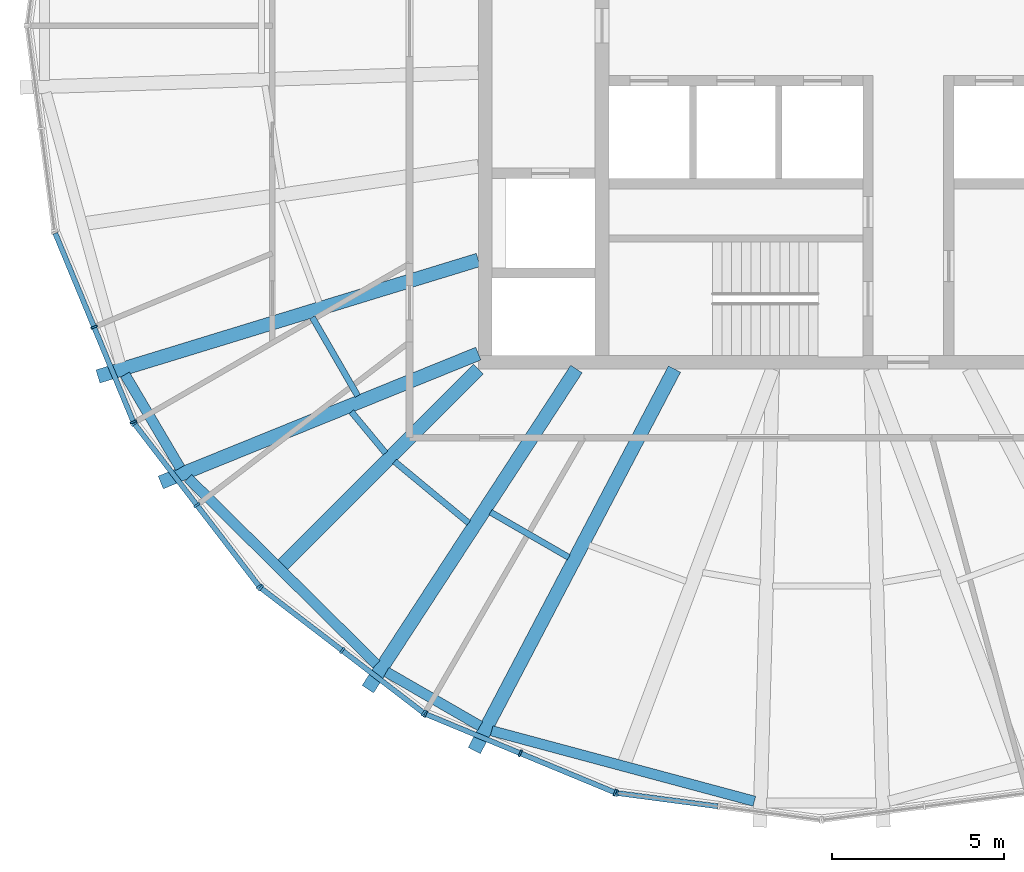
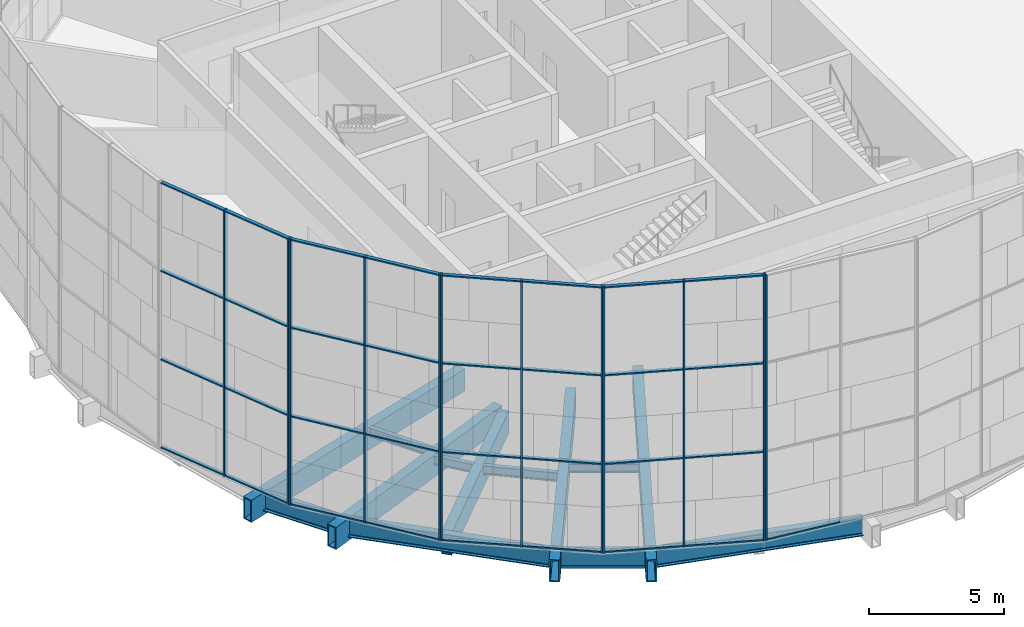
# One storey, part 1 of 23: 45 members, 13 beams, 5 elements without a shape of their own.
"""IFC4 building model written with IfcOpenShell, lengths in metres."""

from ifc_helpers import new_model, si_unit, direction, frame, origin, origin_2d, place, context, subcontext, project, spatial, rectangle, hollow_rectangle, i_section, extrude, material, material_profile, profile_set, type_object, element, aggregate, save


model = new_model("IFC4")

# Units and contexts
model_context = context("Model", 3, precision=1e-05, world=origin(), true_north=direction((0.0, 1.0)))
body_context = subcontext(model_context, "Body", "Model", "MODEL_VIEW")
ifc_project = project(units=[si_unit("LENGTHUNIT", "METRE"), si_unit("AREAUNIT", "SQUARE_METRE"), si_unit("VOLUMEUNIT", "CUBIC_METRE"), si_unit("PLANEANGLEUNIT", "RADIAN"), si_unit("MASSUNIT", "GRAM", prefix="KILO")], contexts=[model_context])

# Site, building, storey
site_placement = place(None, origin())
site = spatial("IfcSite", under=ifc_project, at=site_placement, CompositionType="ELEMENT")
building_placement = place(site_placement, origin())
building = spatial("IfcBuilding", under=site, at=building_placement, Name="Golbaran Civic Tower", CompositionType="ELEMENT")
storey_placement = place(building_placement, frame((0.0, 0.0, 220.0)))
storey = spatial("IfcBuildingStorey", under=building, at=storey_placement, Name="L53", CompositionType="ELEMENT", Elevation=220.0)

# Beams
ifc_material_1 = material(Name="Steel S355", Category="steel")
ifc_material_profile_1 = material_profile(ifc_material_1, i_section(OverallWidth=0.300048828125, OverallDepth=0.800048828125, WebThickness=0.017578125, FlangeThickness=0.032958984375, FilletRadius=0.030029296875, at=origin_2d()), Name="HEB 800")
ifc_profile_set_1 = profile_set([ifc_material_profile_1], Name="Steel S355")
beam_type_1 = type_object("IfcBeamType", Name="EDGE BEAM HEB 800", PredefinedType="BEAM", material=ifc_profile_set_1)
beam_1_placement = place(storey_placement, frame((-20.289794921875, -10.162109375, -0.60009765625), z_axis=(0.508797064338, -0.860886489219, 0.0), x_axis=(0.860886489219, 0.508797064338, 0.0)))
element("IfcBeam", 1, at=beam_1_placement, inside=storey, type_object=beam_type_1, Name="Edge beam 205.65 L53", PredefinedType="BEAM", context=body_context, shape_type="SweptSolid", body=[
    extrude(i_section(OverallWidth=0.300048828125, OverallDepth=0.800048828125, WebThickness=0.017578125, FlangeThickness=0.032958984375, FilletRadius=0.030029296875, at=origin_2d()), origin(), (0.0, 0.0, 1.0), 3.156494140625),
])
beam_2_placement = place(storey_placement, frame((-18.451904296875, -13.173828125, -0.60009765625), z_axis=(0.710954638033, -0.703237870609, 0.0), x_axis=(0.703237870609, 0.710954638033, 0.0)))
element("IfcBeam", 2, at=beam_2_placement, inside=storey, type_object=beam_type_1, Name="Edge beam 214.35 L53", PredefinedType="BEAM", context=body_context, shape_type="SweptSolid", body=[
    extrude(i_section(OverallWidth=0.300048828125, OverallDepth=0.800048828125, WebThickness=0.017578125, FlangeThickness=0.032958984375, FilletRadius=0.030029296875, at=origin_2d()), origin(), (0.0, 0.0, 1.0), 7.719482421875),
])
beam_3_placement = place(storey_placement, frame((-12.677001953125, -18.82177734375, -0.60009765625), z_axis=(0.866234572261, -0.499637534438, 0.0), x_axis=(0.499637534438, 0.866234572261, 0.0)))
element("IfcBeam", 3, at=beam_3_placement, inside=storey, type_object=beam_type_1, Name="Edge beam 235.65 L53", PredefinedType="BEAM", context=body_context, shape_type="SweptSolid", body=[
    extrude(i_section(OverallWidth=0.300048828125, OverallDepth=0.800048828125, WebThickness=0.017578125, FlangeThickness=0.032958984375, FilletRadius=0.030029296875, at=origin_2d()), origin(), (0.0, 0.0, 1.0), 3.152587890625),
])
beam_4_placement = place(storey_placement, frame((-9.61181640625, -20.534912109375, -0.60009765625), z_axis=(0.965837946474, -0.259146794597, 0.0), x_axis=(0.259146794597, 0.965837946474, 0.0)))
element("IfcBeam", 4, at=beam_4_placement, inside=storey, type_object=beam_type_1, Name="Edge beam 244.35 L53", PredefinedType="BEAM", context=body_context, shape_type="SweptSolid", body=[
    extrude(i_section(OverallWidth=0.300048828125, OverallDepth=0.800048828125, WebThickness=0.017578125, FlangeThickness=0.032958984375, FilletRadius=0.030029296875, at=origin_2d()), origin(), (0.0, 0.0, 1.0), 7.923095703125),
])
ifc_material_profile_2 = material_profile(ifc_material_1, i_section(OverallWidth=0.179931640625, OverallDepth=0.39990234375, WebThickness=0.008544921875, FlangeThickness=0.013427734375, FilletRadius=0.02099609375, at=origin_2d()), Name="IPE 400")
ifc_profile_set_2 = profile_set([ifc_material_profile_2], Name="Steel S355")
beam_type_2 = type_object("IfcBeamType", Name="FLOOR INFILL BEAM IPE 400", PredefinedType="BEAM", material=ifc_profile_set_2)
beam_5_placement = place(storey_placement, frame((-14.8349609375, -8.490966796875, -0.39990234375), z_axis=(0.500031469177, -0.866007234284, 0.0), x_axis=(0.866007234284, 0.500031469177, 0.0)))
element("IfcBeam", 5, at=beam_5_placement, inside=storey, type_object=beam_type_2, Name="Infill beam 210.00 L53", PredefinedType="BEAM", context=body_context, shape_type="SweptSolid", body=[
    extrude(i_section(OverallWidth=0.179931640625, OverallDepth=0.39990234375, WebThickness=0.008544921875, FlangeThickness=0.013427734375, FilletRadius=0.02099609375, at=origin_2d()), origin(), (0.0, 0.0, 1.0), 2.644287109375),
])
beam_6_placement = place(storey_placement, frame((-13.697265625, -11.244384765625, -0.39990234375), z_axis=(0.638367510065, -0.769731720857, 0.0), x_axis=(0.769731720857, 0.638367510065, 0.0)))
element("IfcBeam", 6, at=beam_6_placement, inside=storey, type_object=beam_type_2, Name="Infill beam 219.67 L53", PredefinedType="BEAM", context=body_context, shape_type="SweptSolid", body=[
    extrude(i_section(OverallWidth=0.179931640625, OverallDepth=0.39990234375, WebThickness=0.008544921875, FlangeThickness=0.013427734375, FilletRadius=0.02099609375, at=origin_2d()), origin(), (0.0, 0.0, 1.0), 1.56103515625),
])
beam_7_placement = place(storey_placement, frame((-12.43798828125, -12.692626953125, -0.39990234375), z_axis=(0.769689102047, -0.638418895546, 0.0), x_axis=(0.638418895546, 0.769689102047, 0.0)))
element("IfcBeam", 7, at=beam_7_placement, inside=storey, type_object=beam_type_2, Name="Infill beam 230.33 L53", PredefinedType="BEAM", context=body_context, shape_type="SweptSolid", body=[
    extrude(i_section(OverallWidth=0.179931640625, OverallDepth=0.39990234375, WebThickness=0.008544921875, FlangeThickness=0.013427734375, FilletRadius=0.02099609375, at=origin_2d()), origin(), (0.0, 0.0, 1.0), 2.8046875),
])
beam_8_placement = place(storey_placement, frame((-9.64453125, -14.16845703125, -0.39990234375), z_axis=(0.86602945008, -0.499992991546, 0.0), x_axis=(0.499992991546, 0.86602945008, 0.0)))
element("IfcBeam", 8, at=beam_8_placement, inside=storey, type_object=beam_type_2, Name="Infill beam 240.00 L53", PredefinedType="BEAM", context=body_context, shape_type="SweptSolid", body=[
    extrude(i_section(OverallWidth=0.179931640625, OverallDepth=0.39990234375, WebThickness=0.008544921875, FlangeThickness=0.013427734375, FilletRadius=0.02099609375, at=origin_2d()), origin(), (0.0, 0.0, 1.0), 2.6298828125),
])

# Curtain wall, members
ifc_material_2 = material(Name="Aluminium and glass", Category="aluminium")
curtain_wall_type = type_object("IfcCurtainWallType", Name="INNER SKIN CURTAIN WALL EXECUTIVE", PredefinedType="NOTDEFINED", material=ifc_material_2)
curtain_wall_1_placement = place(storey_placement, origin())
curtain_wall_1 = element("IfcCurtainWall", 9, at=curtain_wall_1_placement, inside=storey, type_object=curtain_wall_type, Name="Inner skin L53 facet 14 CW2", ObjectType="INNER SKIN", PredefinedType="USERDEFINED")
ifc_material_3 = material(Name="Aluminium", Category="aluminium")
ifc_material_profile_3 = material_profile(ifc_material_3, rectangle(XDim=0.199951171875, YDim=0.06005859375, at=origin_2d()), Name="INNER SKIN CURTAIN WALL EXECUTIVE MULLION")
ifc_profile_set_3 = profile_set([ifc_material_profile_3], Name="Aluminium")
member_type_1 = type_object("IfcMemberType", Name="INNER SKIN CURTAIN WALL EXECUTIVE MULLION", PredefinedType="MULLION", material=ifc_profile_set_3)
member_1_placement = place(storey_placement, frame((-21.190185546875, -8.77734375, 0.0), z_axis=(0.0, 0.0, 1.0), x_axis=(0.923879532531, 0.382683432317, 0.0)))
member_1 = element("IfcMember", 10, at=member_1_placement, type_object=member_type_1, Name="CW2 mullion 2", PredefinedType="MULLION", context=body_context, shape_type="SweptSolid", body=[
    extrude(rectangle(XDim=0.199951171875, YDim=0.06005859375, at=origin_2d()), origin(), (0.0, 0.0, 1.0), 12.0),
])
member_2_placement = place(storey_placement, frame((-20.046142578125, -11.539306640625, 0.0), z_axis=(0.0, 0.0, 1.0), x_axis=(0.923879532531, 0.382683432317, 0.0)))
member_2 = element("IfcMember", 11, at=member_2_placement, type_object=member_type_1, Name="CW2 mullion 3", PredefinedType="MULLION", context=body_context, shape_type="SweptSolid", body=[
    extrude(rectangle(XDim=0.199951171875, YDim=0.06005859375, at=origin_2d()), origin(), (0.0, 0.0, 1.0), 12.0),
])

curtain_wall_2_placement = place(storey_placement, origin())
curtain_wall_2 = element("IfcCurtainWall", 12, at=curtain_wall_2_placement, inside=storey, type_object=curtain_wall_type, Name="Inner skin L53 facet 15 CW2", ObjectType="INNER SKIN", PredefinedType="USERDEFINED")
member_3_placement = place(storey_placement, frame((-20.016357421875, -11.5908203125, 0.0), z_axis=(0.0, 0.0, 1.0), x_axis=(0.793353340312, 0.608761428981, 0.0)))
member_3 = element("IfcMember", 13, at=member_3_placement, type_object=member_type_1, Name="CW2 mullion 1", PredefinedType="MULLION", context=body_context, shape_type="SweptSolid", body=[
    extrude(rectangle(XDim=0.199951171875, YDim=0.06005859375, at=origin_2d()), origin(), (0.0, 0.0, 1.0), 12.0),
])
member_4_placement = place(storey_placement, frame((-18.196533203125, -13.962646484375, 0.0), z_axis=(0.0, 0.0, 1.0), x_axis=(0.793353340312, 0.608761428981, 0.0)))
member_4 = element("IfcMember", 14, at=member_4_placement, type_object=member_type_1, Name="CW2 mullion 2", PredefinedType="MULLION", context=body_context, shape_type="SweptSolid", body=[
    extrude(rectangle(XDim=0.199951171875, YDim=0.06005859375, at=origin_2d()), origin(), (0.0, 0.0, 1.0), 12.0),
])
member_5_placement = place(storey_placement, frame((-16.37646484375, -16.33447265625, 0.0), z_axis=(0.0, 0.0, 1.0), x_axis=(0.793353340312, 0.608761428981, 0.0)))
member_5 = element("IfcMember", 15, at=member_5_placement, type_object=member_type_1, Name="CW2 mullion 3", PredefinedType="MULLION", context=body_context, shape_type="SweptSolid", body=[
    extrude(rectangle(XDim=0.199951171875, YDim=0.06005859375, at=origin_2d()), origin(), (0.0, 0.0, 1.0), 12.0),
])

curtain_wall_3_placement = place(storey_placement, origin())
curtain_wall_3 = element("IfcCurtainWall", 16, at=curtain_wall_3_placement, inside=storey, type_object=curtain_wall_type, Name="Inner skin L53 facet 16 CW2", ObjectType="INNER SKIN", PredefinedType="USERDEFINED")
member_6_placement = place(storey_placement, frame((-16.33447265625, -16.37646484375, 0.0), z_axis=(0.0, 0.0, 1.0), x_axis=(0.608761428981, 0.793353340312, 0.0)))
member_6 = element("IfcMember", 17, at=member_6_placement, type_object=member_type_1, Name="CW2 mullion 1", PredefinedType="MULLION", context=body_context, shape_type="SweptSolid", body=[
    extrude(rectangle(XDim=0.199951171875, YDim=0.06005859375, at=origin_2d()), origin(), (0.0, 0.0, 1.0), 12.0),
])
member_7_placement = place(storey_placement, frame((-13.962646484375, -18.196533203125, 0.0), z_axis=(0.0, 0.0, 1.0), x_axis=(0.608761428981, 0.793353340312, 0.0)))
member_7 = element("IfcMember", 18, at=member_7_placement, type_object=member_type_1, Name="CW2 mullion 2", PredefinedType="MULLION", context=body_context, shape_type="SweptSolid", body=[
    extrude(rectangle(XDim=0.199951171875, YDim=0.06005859375, at=origin_2d()), origin(), (0.0, 0.0, 1.0), 12.0),
])
member_8_placement = place(storey_placement, frame((-11.5908203125, -20.016357421875, 0.0), z_axis=(0.0, 0.0, 1.0), x_axis=(0.608761428981, 0.793353340312, 0.0)))
member_8 = element("IfcMember", 19, at=member_8_placement, type_object=member_type_1, Name="CW2 mullion 3", PredefinedType="MULLION", context=body_context, shape_type="SweptSolid", body=[
    extrude(rectangle(XDim=0.199951171875, YDim=0.06005859375, at=origin_2d()), origin(), (0.0, 0.0, 1.0), 12.0),
])

curtain_wall_4_placement = place(storey_placement, origin())
curtain_wall_4 = element("IfcCurtainWall", 20, at=curtain_wall_4_placement, inside=storey, type_object=curtain_wall_type, Name="Inner skin L53 facet 17 CW2", ObjectType="INNER SKIN", PredefinedType="USERDEFINED")
member_9_placement = place(storey_placement, frame((-11.539306640625, -20.046142578125, 0.0), z_axis=(0.0, 0.0, 1.0), x_axis=(0.382683432317, 0.923879532531, 0.0)))
member_9 = element("IfcMember", 21, at=member_9_placement, type_object=member_type_1, Name="CW2 mullion 1", PredefinedType="MULLION", context=body_context, shape_type="SweptSolid", body=[
    extrude(rectangle(XDim=0.199951171875, YDim=0.06005859375, at=origin_2d()), origin(), (0.0, 0.0, 1.0), 12.0),
])
member_10_placement = place(storey_placement, frame((-8.77734375, -21.190185546875, 0.0), z_axis=(0.0, 0.0, 1.0), x_axis=(0.382683432317, 0.923879532531, 0.0)))
member_10 = element("IfcMember", 22, at=member_10_placement, type_object=member_type_1, Name="CW2 mullion 2", PredefinedType="MULLION", context=body_context, shape_type="SweptSolid", body=[
    extrude(rectangle(XDim=0.199951171875, YDim=0.06005859375, at=origin_2d()), origin(), (0.0, 0.0, 1.0), 12.0),
])
member_11_placement = place(storey_placement, frame((-6.01513671875, -22.334228515625, 0.0), z_axis=(0.0, 0.0, 1.0), x_axis=(0.382683432317, 0.923879532531, 0.0)))
member_11 = element("IfcMember", 23, at=member_11_placement, type_object=member_type_1, Name="CW2 mullion 3", PredefinedType="MULLION", context=body_context, shape_type="SweptSolid", body=[
    extrude(rectangle(XDim=0.199951171875, YDim=0.06005859375, at=origin_2d()), origin(), (0.0, 0.0, 1.0), 12.0),
])

# Curtain wall, member
curtain_wall_5_placement = place(storey_placement, origin())
curtain_wall_5 = element("IfcCurtainWall", 24, at=curtain_wall_5_placement, inside=storey, type_object=curtain_wall_type, Name="Inner skin L53 facet 18 CW2", ObjectType="INNER SKIN", PredefinedType="USERDEFINED")
member_12_placement = place(storey_placement, frame((-5.957763671875, -22.349609375, 0.0), z_axis=(0.0, 0.0, 1.0), x_axis=(0.130526192289, 0.991444861365, 0.0)))
member_12 = element("IfcMember", 25, at=member_12_placement, type_object=member_type_1, Name="CW2 mullion 1", PredefinedType="MULLION", context=body_context, shape_type="SweptSolid", body=[
    extrude(rectangle(XDim=0.199951171875, YDim=0.06005859375, at=origin_2d()), origin(), (0.0, 0.0, 1.0), 12.0),
])

# Member
ifc_material_profile_4 = material_profile(ifc_material_3, rectangle(XDim=0.14990234375, YDim=0.06005859375, at=origin_2d()), Name="INNER SKIN CURTAIN WALL EXECUTIVE TRANSOM")
ifc_profile_set_4 = profile_set([ifc_material_profile_4], Name="Aluminium")
member_type_2 = type_object("IfcMemberType", Name="INNER SKIN CURTAIN WALL EXECUTIVE TRANSOM", PredefinedType="USERDEFINED", material=ifc_profile_set_4)
member_13_placement = place(storey_placement, frame((-22.32275390625, -6.04296875, 0.030029296875), z_axis=(0.382685455921, -0.923878694324, 0.0), x_axis=(0.923878694324, 0.382685455921, 0.0)))
member_13 = element("IfcMember", 26, at=member_13_placement, type_object=member_type_2, Name="CW2 transom 1.1", ObjectType="TRANSOM", PredefinedType="USERDEFINED", context=body_context, shape_type="SweptSolid", body=[
    extrude(rectangle(XDim=0.14990234375, YDim=0.06005859375, at=origin_2d()), origin(), (0.0, 0.0, 1.0), 2.929443359375),
])

member_14_placement = place(storey_placement, frame((-22.32275390625, -6.04296875, 4.0), z_axis=(0.382685455921, -0.923878694324, 0.0), x_axis=(0.923878694324, 0.382685455921, 0.0)))
member_14 = element("IfcMember", 27, at=member_14_placement, type_object=member_type_2, Name="CW2 transom 1.2", ObjectType="TRANSOM", PredefinedType="USERDEFINED", context=body_context, shape_type="SweptSolid", body=[
    extrude(rectangle(XDim=0.14990234375, YDim=0.06005859375, at=origin_2d()), origin(), (0.0, 0.0, 1.0), 2.929443359375),
])

member_15_placement = place(storey_placement, frame((-22.32275390625, -6.04296875, 8.0), z_axis=(0.382685455921, -0.923878694324, 0.0), x_axis=(0.923878694324, 0.382685455921, 0.0)))
member_15 = element("IfcMember", 28, at=member_15_placement, type_object=member_type_2, Name="CW2 transom 1.3", ObjectType="TRANSOM", PredefinedType="USERDEFINED", context=body_context, shape_type="SweptSolid", body=[
    extrude(rectangle(XDim=0.14990234375, YDim=0.06005859375, at=origin_2d()), origin(), (0.0, 0.0, 1.0), 2.929443359375),
])

member_16_placement = place(storey_placement, frame((-22.32275390625, -6.04296875, 11.969970703125), z_axis=(0.382685455921, -0.923878694324, 0.0), x_axis=(0.923878694324, 0.382685455921, 0.0)))
member_16 = element("IfcMember", 29, at=member_16_placement, type_object=member_type_2, Name="CW2 transom 1.4", ObjectType="TRANSOM", PredefinedType="USERDEFINED", context=body_context, shape_type="SweptSolid", body=[
    extrude(rectangle(XDim=0.14990234375, YDim=0.06005859375, at=origin_2d()), origin(), (0.0, 0.0, 1.0), 2.929443359375),
])

member_17_placement = place(storey_placement, frame((-21.1787109375, -8.804931640625, 0.030029296875), z_axis=(0.382685455921, -0.923878694324, 0.0), x_axis=(0.923878694324, 0.382685455921, 0.0)))
member_17 = element("IfcMember", 30, at=member_17_placement, type_object=member_type_2, Name="CW2 transom 2.1", ObjectType="TRANSOM", PredefinedType="USERDEFINED", context=body_context, shape_type="SweptSolid", body=[
    extrude(rectangle(XDim=0.14990234375, YDim=0.06005859375, at=origin_2d()), origin(), (0.0, 0.0, 1.0), 2.929443359375),
])

member_18_placement = place(storey_placement, frame((-21.1787109375, -8.804931640625, 4.0), z_axis=(0.382685455921, -0.923878694324, 0.0), x_axis=(0.923878694324, 0.382685455921, 0.0)))
member_18 = element("IfcMember", 31, at=member_18_placement, type_object=member_type_2, Name="CW2 transom 2.2", ObjectType="TRANSOM", PredefinedType="USERDEFINED", context=body_context, shape_type="SweptSolid", body=[
    extrude(rectangle(XDim=0.14990234375, YDim=0.06005859375, at=origin_2d()), origin(), (0.0, 0.0, 1.0), 2.929443359375),
])

member_19_placement = place(storey_placement, frame((-21.1787109375, -8.804931640625, 8.0), z_axis=(0.382685455921, -0.923878694324, 0.0), x_axis=(0.923878694324, 0.382685455921, 0.0)))
member_19 = element("IfcMember", 32, at=member_19_placement, type_object=member_type_2, Name="CW2 transom 2.3", ObjectType="TRANSOM", PredefinedType="USERDEFINED", context=body_context, shape_type="SweptSolid", body=[
    extrude(rectangle(XDim=0.14990234375, YDim=0.06005859375, at=origin_2d()), origin(), (0.0, 0.0, 1.0), 2.929443359375),
])

member_20_placement = place(storey_placement, frame((-21.1787109375, -8.804931640625, 11.969970703125), z_axis=(0.382685455921, -0.923878694324, 0.0), x_axis=(0.923878694324, 0.382685455921, 0.0)))
member_20 = element("IfcMember", 33, at=member_20_placement, type_object=member_type_2, Name="CW2 transom 2.4", ObjectType="TRANSOM", PredefinedType="USERDEFINED", context=body_context, shape_type="SweptSolid", body=[
    extrude(rectangle(XDim=0.14990234375, YDim=0.06005859375, at=origin_2d()), origin(), (0.0, 0.0, 1.0), 2.929443359375),
])

aggregate(curtain_wall_1, [member_1, member_2, member_13, member_14, member_15, member_16, member_17, member_18, member_19, member_20])

member_21_placement = place(storey_placement, frame((-19.998046875, -11.614501953125, 0.030029296875), z_axis=(0.608763898154, -0.793351445643, 0.0), x_axis=(0.793351445643, 0.608763898154, 0.0)))
member_21 = element("IfcMember", 34, at=member_21_placement, type_object=member_type_2, Name="CW2 transom 1.1", ObjectType="TRANSOM", PredefinedType="USERDEFINED", context=body_context, shape_type="SweptSolid", body=[
    extrude(rectangle(XDim=0.14990234375, YDim=0.06005859375, at=origin_2d()), origin(), (0.0, 0.0, 1.0), 2.9296875),
])

member_22_placement = place(storey_placement, frame((-19.998046875, -11.614501953125, 4.0), z_axis=(0.608763898154, -0.793351445643, 0.0), x_axis=(0.793351445643, 0.608763898154, 0.0)))
member_22 = element("IfcMember", 35, at=member_22_placement, type_object=member_type_2, Name="CW2 transom 1.2", ObjectType="TRANSOM", PredefinedType="USERDEFINED", context=body_context, shape_type="SweptSolid", body=[
    extrude(rectangle(XDim=0.14990234375, YDim=0.06005859375, at=origin_2d()), origin(), (0.0, 0.0, 1.0), 2.9296875),
])

member_23_placement = place(storey_placement, frame((-19.998046875, -11.614501953125, 8.0), z_axis=(0.608763898154, -0.793351445643, 0.0), x_axis=(0.793351445643, 0.608763898154, 0.0)))
member_23 = element("IfcMember", 36, at=member_23_placement, type_object=member_type_2, Name="CW2 transom 1.3", ObjectType="TRANSOM", PredefinedType="USERDEFINED", context=body_context, shape_type="SweptSolid", body=[
    extrude(rectangle(XDim=0.14990234375, YDim=0.06005859375, at=origin_2d()), origin(), (0.0, 0.0, 1.0), 2.9296875),
])

member_24_placement = place(storey_placement, frame((-19.998046875, -11.614501953125, 11.969970703125), z_axis=(0.608763898154, -0.793351445643, 0.0), x_axis=(0.793351445643, 0.608763898154, 0.0)))
member_24 = element("IfcMember", 37, at=member_24_placement, type_object=member_type_2, Name="CW2 transom 1.4", ObjectType="TRANSOM", PredefinedType="USERDEFINED", context=body_context, shape_type="SweptSolid", body=[
    extrude(rectangle(XDim=0.14990234375, YDim=0.06005859375, at=origin_2d()), origin(), (0.0, 0.0, 1.0), 2.9296875),
])

member_25_placement = place(storey_placement, frame((-18.17822265625, -13.986328125, 0.030029296875), z_axis=(0.608763898154, -0.793351445643, 0.0), x_axis=(0.793351445643, 0.608763898154, 0.0)))
member_25 = element("IfcMember", 38, at=member_25_placement, type_object=member_type_2, Name="CW2 transom 2.1", ObjectType="TRANSOM", PredefinedType="USERDEFINED", context=body_context, shape_type="SweptSolid", body=[
    extrude(rectangle(XDim=0.14990234375, YDim=0.06005859375, at=origin_2d()), origin(), (0.0, 0.0, 1.0), 2.9296875),
])

member_26_placement = place(storey_placement, frame((-18.17822265625, -13.986328125, 4.0), z_axis=(0.608763898154, -0.793351445643, 0.0), x_axis=(0.793351445643, 0.608763898154, 0.0)))
member_26 = element("IfcMember", 39, at=member_26_placement, type_object=member_type_2, Name="CW2 transom 2.2", ObjectType="TRANSOM", PredefinedType="USERDEFINED", context=body_context, shape_type="SweptSolid", body=[
    extrude(rectangle(XDim=0.14990234375, YDim=0.06005859375, at=origin_2d()), origin(), (0.0, 0.0, 1.0), 2.9296875),
])

member_27_placement = place(storey_placement, frame((-18.17822265625, -13.986328125, 8.0), z_axis=(0.608763898154, -0.793351445643, 0.0), x_axis=(0.793351445643, 0.608763898154, 0.0)))
member_27 = element("IfcMember", 40, at=member_27_placement, type_object=member_type_2, Name="CW2 transom 2.3", ObjectType="TRANSOM", PredefinedType="USERDEFINED", context=body_context, shape_type="SweptSolid", body=[
    extrude(rectangle(XDim=0.14990234375, YDim=0.06005859375, at=origin_2d()), origin(), (0.0, 0.0, 1.0), 2.9296875),
])

member_28_placement = place(storey_placement, frame((-18.17822265625, -13.986328125, 11.969970703125), z_axis=(0.608763898154, -0.793351445643, 0.0), x_axis=(0.793351445643, 0.608763898154, 0.0)))
member_28 = element("IfcMember", 41, at=member_28_placement, type_object=member_type_2, Name="CW2 transom 2.4", ObjectType="TRANSOM", PredefinedType="USERDEFINED", context=body_context, shape_type="SweptSolid", body=[
    extrude(rectangle(XDim=0.14990234375, YDim=0.06005859375, at=origin_2d()), origin(), (0.0, 0.0, 1.0), 2.9296875),
])

aggregate(curtain_wall_2, [member_3, member_4, member_5, member_21, member_22, member_23, member_24, member_25, member_26, member_27, member_28])

member_29_placement = place(storey_placement, frame((-16.310546875, -16.394775390625, 0.030029296875), z_axis=(0.793351445643, -0.608763898154, 0.0), x_axis=(0.608763898154, 0.793351445643, 0.0)))
member_29 = element("IfcMember", 42, at=member_29_placement, type_object=member_type_2, Name="CW2 transom 1.1", ObjectType="TRANSOM", PredefinedType="USERDEFINED", context=body_context, shape_type="SweptSolid", body=[
    extrude(rectangle(XDim=0.14990234375, YDim=0.06005859375, at=origin_2d()), origin(), (0.0, 0.0, 1.0), 2.9296875),
])

member_30_placement = place(storey_placement, frame((-16.310546875, -16.394775390625, 4.0), z_axis=(0.793351445643, -0.608763898154, 0.0), x_axis=(0.608763898154, 0.793351445643, 0.0)))
member_30 = element("IfcMember", 43, at=member_30_placement, type_object=member_type_2, Name="CW2 transom 1.2", ObjectType="TRANSOM", PredefinedType="USERDEFINED", context=body_context, shape_type="SweptSolid", body=[
    extrude(rectangle(XDim=0.14990234375, YDim=0.06005859375, at=origin_2d()), origin(), (0.0, 0.0, 1.0), 2.9296875),
])

member_31_placement = place(storey_placement, frame((-16.310546875, -16.394775390625, 8.0), z_axis=(0.793351445643, -0.608763898154, 0.0), x_axis=(0.608763898154, 0.793351445643, 0.0)))
member_31 = element("IfcMember", 44, at=member_31_placement, type_object=member_type_2, Name="CW2 transom 1.3", ObjectType="TRANSOM", PredefinedType="USERDEFINED", context=body_context, shape_type="SweptSolid", body=[
    extrude(rectangle(XDim=0.14990234375, YDim=0.06005859375, at=origin_2d()), origin(), (0.0, 0.0, 1.0), 2.9296875),
])

member_32_placement = place(storey_placement, frame((-16.310546875, -16.394775390625, 11.969970703125), z_axis=(0.793351445643, -0.608763898154, 0.0), x_axis=(0.608763898154, 0.793351445643, 0.0)))
member_32 = element("IfcMember", 45, at=member_32_placement, type_object=member_type_2, Name="CW2 transom 1.4", ObjectType="TRANSOM", PredefinedType="USERDEFINED", context=body_context, shape_type="SweptSolid", body=[
    extrude(rectangle(XDim=0.14990234375, YDim=0.06005859375, at=origin_2d()), origin(), (0.0, 0.0, 1.0), 2.9296875),
])

member_33_placement = place(storey_placement, frame((-13.938720703125, -18.214599609375, 0.030029296875), z_axis=(0.793351445643, -0.608763898154, 0.0), x_axis=(0.608763898154, 0.793351445643, 0.0)))
member_33 = element("IfcMember", 46, at=member_33_placement, type_object=member_type_2, Name="CW2 transom 2.1", ObjectType="TRANSOM", PredefinedType="USERDEFINED", context=body_context, shape_type="SweptSolid", body=[
    extrude(rectangle(XDim=0.14990234375, YDim=0.06005859375, at=origin_2d()), origin(), (0.0, 0.0, 1.0), 2.9296875),
])

member_34_placement = place(storey_placement, frame((-13.938720703125, -18.214599609375, 4.0), z_axis=(0.793351445643, -0.608763898154, 0.0), x_axis=(0.608763898154, 0.793351445643, 0.0)))
member_34 = element("IfcMember", 47, at=member_34_placement, type_object=member_type_2, Name="CW2 transom 2.2", ObjectType="TRANSOM", PredefinedType="USERDEFINED", context=body_context, shape_type="SweptSolid", body=[
    extrude(rectangle(XDim=0.14990234375, YDim=0.06005859375, at=origin_2d()), origin(), (0.0, 0.0, 1.0), 2.9296875),
])

member_35_placement = place(storey_placement, frame((-13.938720703125, -18.214599609375, 8.0), z_axis=(0.793351445643, -0.608763898154, 0.0), x_axis=(0.608763898154, 0.793351445643, 0.0)))
member_35 = element("IfcMember", 48, at=member_35_placement, type_object=member_type_2, Name="CW2 transom 2.3", ObjectType="TRANSOM", PredefinedType="USERDEFINED", context=body_context, shape_type="SweptSolid", body=[
    extrude(rectangle(XDim=0.14990234375, YDim=0.06005859375, at=origin_2d()), origin(), (0.0, 0.0, 1.0), 2.9296875),
])

member_36_placement = place(storey_placement, frame((-13.938720703125, -18.214599609375, 11.969970703125), z_axis=(0.793351445643, -0.608763898154, 0.0), x_axis=(0.608763898154, 0.793351445643, 0.0)))
member_36 = element("IfcMember", 49, at=member_36_placement, type_object=member_type_2, Name="CW2 transom 2.4", ObjectType="TRANSOM", PredefinedType="USERDEFINED", context=body_context, shape_type="SweptSolid", body=[
    extrude(rectangle(XDim=0.14990234375, YDim=0.06005859375, at=origin_2d()), origin(), (0.0, 0.0, 1.0), 2.9296875),
])

aggregate(curtain_wall_3, [member_6, member_7, member_8, member_29, member_30, member_31, member_32, member_33, member_34, member_35, member_36])

member_37_placement = place(storey_placement, frame((-11.511474609375, -20.0576171875, 0.030029296875), z_axis=(0.923878694324, -0.382685455921, 0.0), x_axis=(0.382685455921, 0.923878694324, 0.0)))
member_37 = element("IfcMember", 50, at=member_37_placement, type_object=member_type_2, Name="CW2 transom 1.1", ObjectType="TRANSOM", PredefinedType="USERDEFINED", context=body_context, shape_type="SweptSolid", body=[
    extrude(rectangle(XDim=0.14990234375, YDim=0.06005859375, at=origin_2d()), origin(), (0.0, 0.0, 1.0), 2.929443359375),
])

member_38_placement = place(storey_placement, frame((-11.511474609375, -20.0576171875, 4.0), z_axis=(0.923878694324, -0.382685455921, 0.0), x_axis=(0.382685455921, 0.923878694324, 0.0)))
member_38 = element("IfcMember", 51, at=member_38_placement, type_object=member_type_2, Name="CW2 transom 1.2", ObjectType="TRANSOM", PredefinedType="USERDEFINED", context=body_context, shape_type="SweptSolid", body=[
    extrude(rectangle(XDim=0.14990234375, YDim=0.06005859375, at=origin_2d()), origin(), (0.0, 0.0, 1.0), 2.929443359375),
])

member_39_placement = place(storey_placement, frame((-11.511474609375, -20.0576171875, 8.0), z_axis=(0.923878694324, -0.382685455921, 0.0), x_axis=(0.382685455921, 0.923878694324, 0.0)))
member_39 = element("IfcMember", 52, at=member_39_placement, type_object=member_type_2, Name="CW2 transom 1.3", ObjectType="TRANSOM", PredefinedType="USERDEFINED", context=body_context, shape_type="SweptSolid", body=[
    extrude(rectangle(XDim=0.14990234375, YDim=0.06005859375, at=origin_2d()), origin(), (0.0, 0.0, 1.0), 2.929443359375),
])

member_40_placement = place(storey_placement, frame((-11.511474609375, -20.0576171875, 11.969970703125), z_axis=(0.923878694324, -0.382685455921, 0.0), x_axis=(0.382685455921, 0.923878694324, 0.0)))
member_40 = element("IfcMember", 53, at=member_40_placement, type_object=member_type_2, Name="CW2 transom 1.4", ObjectType="TRANSOM", PredefinedType="USERDEFINED", context=body_context, shape_type="SweptSolid", body=[
    extrude(rectangle(XDim=0.14990234375, YDim=0.06005859375, at=origin_2d()), origin(), (0.0, 0.0, 1.0), 2.929443359375),
])

member_41_placement = place(storey_placement, frame((-8.74951171875, -21.20166015625, 0.030029296875), z_axis=(0.923878694324, -0.382685455921, 0.0), x_axis=(0.382685455921, 0.923878694324, 0.0)))
member_41 = element("IfcMember", 54, at=member_41_placement, type_object=member_type_2, Name="CW2 transom 2.1", ObjectType="TRANSOM", PredefinedType="USERDEFINED", context=body_context, shape_type="SweptSolid", body=[
    extrude(rectangle(XDim=0.14990234375, YDim=0.06005859375, at=origin_2d()), origin(), (0.0, 0.0, 1.0), 2.929443359375),
])

member_42_placement = place(storey_placement, frame((-8.74951171875, -21.20166015625, 4.0), z_axis=(0.923878694324, -0.382685455921, 0.0), x_axis=(0.382685455921, 0.923878694324, 0.0)))
member_42 = element("IfcMember", 55, at=member_42_placement, type_object=member_type_2, Name="CW2 transom 2.2", ObjectType="TRANSOM", PredefinedType="USERDEFINED", context=body_context, shape_type="SweptSolid", body=[
    extrude(rectangle(XDim=0.14990234375, YDim=0.06005859375, at=origin_2d()), origin(), (0.0, 0.0, 1.0), 2.929443359375),
])

member_43_placement = place(storey_placement, frame((-8.74951171875, -21.20166015625, 8.0), z_axis=(0.923878694324, -0.382685455921, 0.0), x_axis=(0.382685455921, 0.923878694324, 0.0)))
member_43 = element("IfcMember", 56, at=member_43_placement, type_object=member_type_2, Name="CW2 transom 2.3", ObjectType="TRANSOM", PredefinedType="USERDEFINED", context=body_context, shape_type="SweptSolid", body=[
    extrude(rectangle(XDim=0.14990234375, YDim=0.06005859375, at=origin_2d()), origin(), (0.0, 0.0, 1.0), 2.929443359375),
])

member_44_placement = place(storey_placement, frame((-8.74951171875, -21.20166015625, 11.969970703125), z_axis=(0.923878694324, -0.382685455921, 0.0), x_axis=(0.382685455921, 0.923878694324, 0.0)))
member_44 = element("IfcMember", 57, at=member_44_placement, type_object=member_type_2, Name="CW2 transom 2.4", ObjectType="TRANSOM", PredefinedType="USERDEFINED", context=body_context, shape_type="SweptSolid", body=[
    extrude(rectangle(XDim=0.14990234375, YDim=0.06005859375, at=origin_2d()), origin(), (0.0, 0.0, 1.0), 2.929443359375),
])

aggregate(curtain_wall_4, [member_9, member_10, member_11, member_37, member_38, member_39, member_40, member_41, member_42, member_43, member_44])

member_45_placement = place(storey_placement, frame((-5.927978515625, -22.353515625, 0.030029296875), z_axis=(0.991447770386, -0.130504094177, 0.0), x_axis=(0.130504094177, 0.991447770386, 0.0)))
member_45 = element("IfcMember", 58, at=member_45_placement, type_object=member_type_2, Name="CW2 transom 1.1", ObjectType="TRANSOM", PredefinedType="USERDEFINED", context=body_context, shape_type="SweptSolid", body=[
    extrude(rectangle(XDim=0.14990234375, YDim=0.06005859375, at=origin_2d()), origin(), (0.0, 0.0, 1.0), 2.9296875),
])

aggregate(curtain_wall_5, [member_12, member_45])

# Beams
ifc_material_profile_5 = material_profile(ifc_material_1, hollow_rectangle(XDim=0.39990234375, YDim=1.0, WallThickness=0.050048828125, at=origin_2d()), Name="BOX 1000x400x50")
ifc_profile_set_5 = profile_set([ifc_material_profile_5], Name="Steel S355")
beam_type_3 = type_object("IfcBeamType", Name="RADIAL FLOOR BEAM BOX 1000x400x50", PredefinedType="BEAM", material=ifc_profile_set_5)
beam_9_placement = place(storey_placement, frame((-10.0, -6.821533203125, -0.7099609375), z_axis=(-0.956138192385, -0.29291595563, 0.0), x_axis=(0.29291595563, -0.956138192385, 0.0)))
element("IfcBeam", 59, at=beam_9_placement, inside=storey, type_object=beam_type_3, Name="Radial beam 205.65 L53", PredefinedType="BEAM", context=body_context, shape_type="SweptSolid", body=[
    extrude(hollow_rectangle(XDim=0.39990234375, YDim=1.0, WallThickness=0.050048828125, at=origin_2d()), origin(), (0.0, 0.0, 1.0), 11.587158203125),
])
beam_10_placement = place(storey_placement, frame((-10.0, -9.550048828125, -0.7099609375), z_axis=(-0.926620006077, -0.375999154704, 0.0), x_axis=(0.375999154704, -0.926620006077, 0.0)))
element("IfcBeam", 60, at=beam_10_placement, inside=storey, type_object=beam_type_3, Name="Radial beam 214.35 L53", PredefinedType="BEAM", context=body_context, shape_type="SweptSolid", body=[
    extrude(hollow_rectangle(XDim=0.39990234375, YDim=1.0, WallThickness=0.050048828125, at=origin_2d()), origin(), (0.0, 0.0, 1.0), 9.982421875),
])
beam_11_placement = place(storey_placement, frame((-7.142822265625, -10.0, -0.7099609375), z_axis=(-0.545967278319, -0.837806499739, 0.0), x_axis=(0.837806499739, -0.545967278319, 0.0)))
element("IfcBeam", 61, at=beam_11_placement, inside=storey, type_object=beam_type_3, Name="Radial beam 235.65 L53", PredefinedType="BEAM", context=body_context, shape_type="SweptSolid", body=[
    extrude(hollow_rectangle(XDim=0.39990234375, YDim=1.0, WallThickness=0.050048828125, at=origin_2d()), origin(), (0.0, 0.0, 1.0), 11.128662109375),
])
beam_12_placement = place(storey_placement, frame((-4.28564453125, -10.0, -0.7099609375), z_axis=(-0.464743920616, -0.885445135653, 0.0), x_axis=(0.885445135653, -0.464743920616, 0.0)))
element("IfcBeam", 62, at=beam_12_placement, inside=storey, type_object=beam_type_3, Name="Radial beam 244.35 L53", PredefinedType="BEAM", context=body_context, shape_type="SweptSolid", body=[
    extrude(hollow_rectangle(XDim=0.39990234375, YDim=1.0, WallThickness=0.050048828125, at=origin_2d()), origin(), (0.0, 0.0, 1.0), 12.550048828125),
])
ifc_material_profile_6 = material_profile(ifc_material_1, hollow_rectangle(XDim=0.39990234375, YDim=1.0, WallThickness=0.0400390625, at=origin_2d()), Name="BOX 1000x400x40")
ifc_profile_set_6 = profile_set([ifc_material_profile_6], Name="Steel S355")
beam_type_4 = type_object("IfcBeamType", Name="SECONDARY FLOOR BEAM BOX 1000x400x40", PredefinedType="BEAM", material=ifc_profile_set_6)
beam_13_placement = place(storey_placement, frame((-10.0, -10.0, -0.7099609375), z_axis=(-0.707106781187, -0.707106781187, 0.0), x_axis=(0.707106781187, -0.707106781187, 0.0)))
element("IfcBeam", 63, at=beam_13_placement, inside=storey, type_object=beam_type_4, Name="Secondary beam 225.00 L53", PredefinedType="BEAM", context=body_context, shape_type="SweptSolid", body=[
    extrude(hollow_rectangle(XDim=0.39990234375, YDim=1.0, WallThickness=0.0400390625, at=origin_2d()), origin(), (0.0, 0.0, 1.0), 8.2001953125),
])

save(model, "model.ifc")
